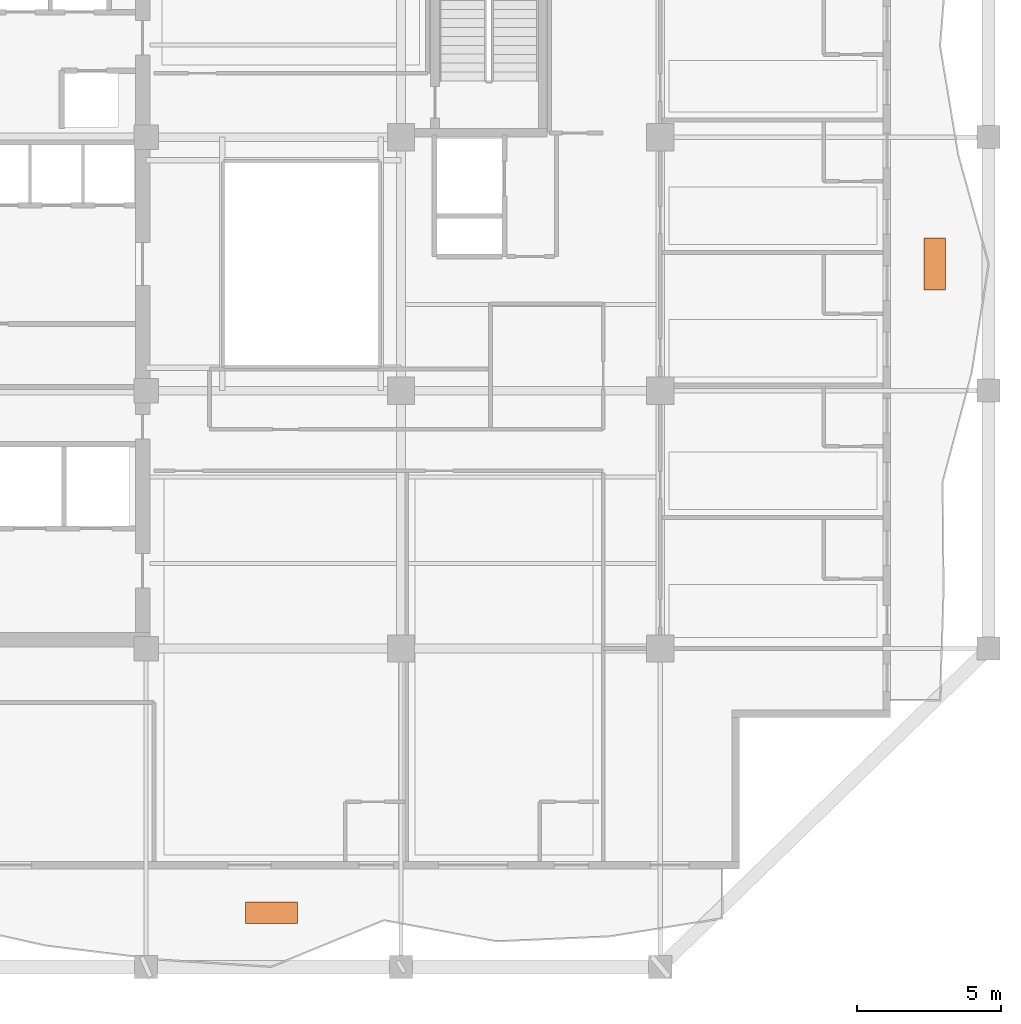
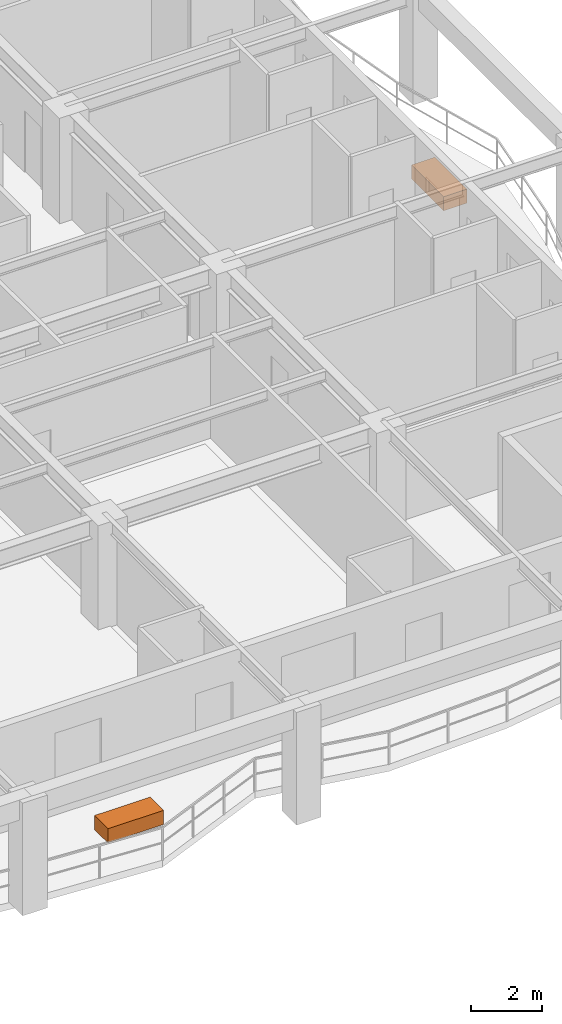
# One storey, part 13 of 13: 2 proxies.
"""IFC4 building model written with IfcOpenShell, lengths in metres."""

from ifc_helpers import new_model, si_unit, direction, frame, origin, origin_2d, place, context, subcontext, project, spatial, rectangle, extrude, material, type_object, element, save


model = new_model("IFC4")

# Units and contexts
model_context = context("Model", 3, precision=1e-05, world=origin(), true_north=direction((0.0, 1.0)))
body_context = subcontext(model_context, "Body", "Model", "MODEL_VIEW")
ifc_project = project(units=[si_unit("LENGTHUNIT", "METRE"), si_unit("AREAUNIT", "SQUARE_METRE"), si_unit("VOLUMEUNIT", "CUBIC_METRE"), si_unit("PLANEANGLEUNIT", "RADIAN"), si_unit("MASSUNIT", "GRAM", prefix="KILO")], contexts=[model_context])

# Site, building, storey
site_placement = place(None, origin())
site = spatial("IfcSite", under=ifc_project, at=site_placement, CompositionType="ELEMENT")
building_placement = place(site_placement, origin())
building = spatial("IfcBuilding", under=site, at=building_placement, Name="Kundavana Baori Tower", CompositionType="ELEMENT")
storey_placement = place(building_placement, frame((0.0, 0.0, 184.85009765625)))
storey = spatial("IfcBuildingStorey", under=building, at=storey_placement, Name="L45", CompositionType="ELEMENT", Elevation=184.85009765625)

# Proxies
ifc_material = material(Name="Red-Buff Dholpur Sandstone Cladding on Concrete C40/50", Category="masonry")
building_element_proxy_type = type_object("IfcBuildingElementProxyType", Name="PRX-PLANTER-1800", PredefinedType="USERDEFINED", material=ifc_material)
for number, where, z_axis, x_axis, name in (
    (1, (29.300048828125, 6.070068359375, 0.0), (0.0, 0.0, 1.0), (1.0, 0.0, 0.0), "L45 Dholpur Stone Structural Tree Planter S"),
    (2, (52.330078125, 28.60009765625, 0.0), (0.0, 0.0, 1.0), (0.0, 1.0, 0.0), "L45 Dholpur Stone Structural Tree Planter E"),
):
    element("IfcBuildingElementProxy", number, at=place(storey_placement, frame(where, z_axis=z_axis, x_axis=x_axis)), inside=storey, type_object=building_element_proxy_type, Name=name, ObjectType="PLANTER", PredefinedType="USERDEFINED", context=body_context, shape_type="SweptSolid", body=[
        extrude(rectangle(XDim=1.800048828125, YDim=0.75, at=origin_2d()), origin(), (0.0, 0.0, 1.0), 0.47998046875),
    ])

save(model, "model.ifc")
